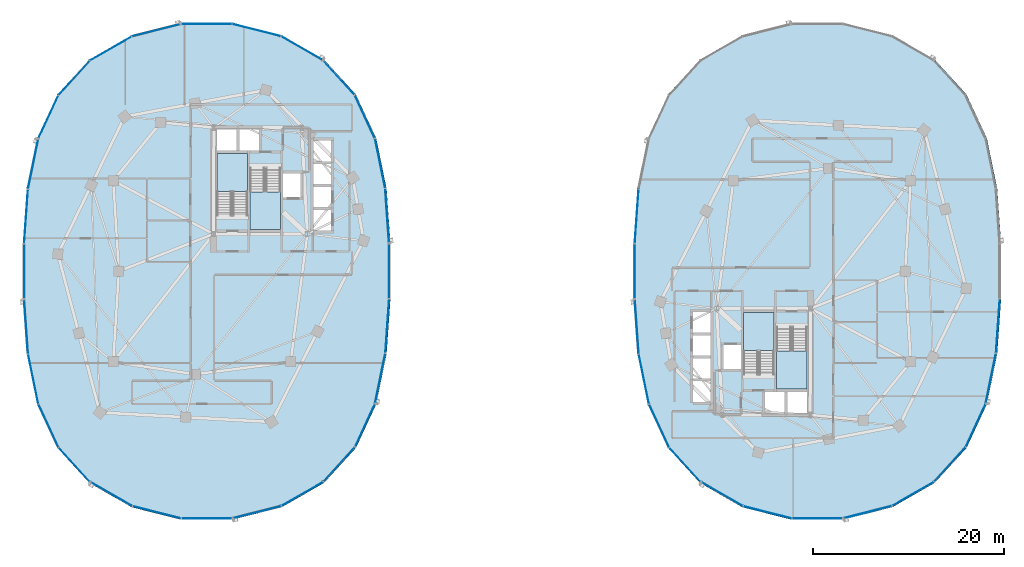
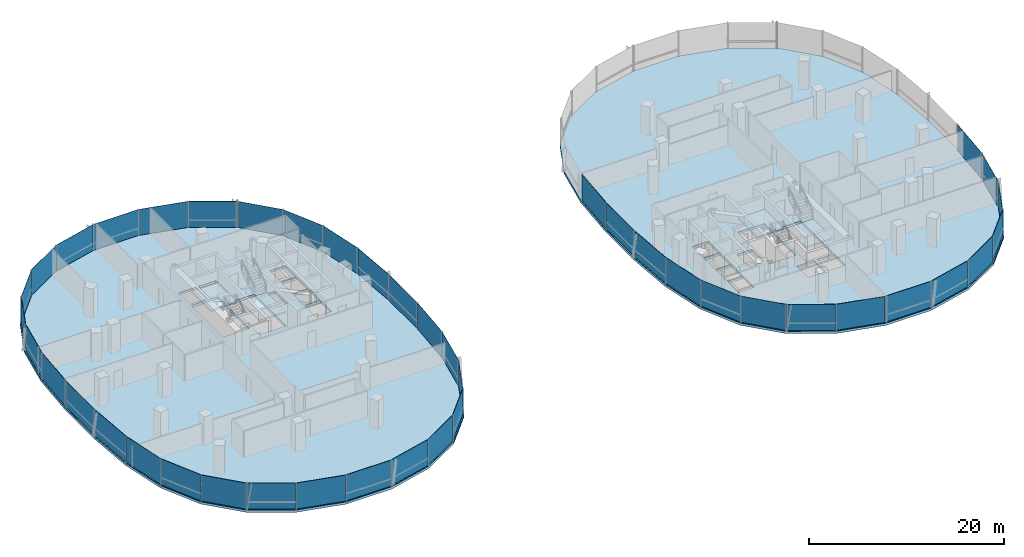
# One storey, part 9 of 21: 43 plates, 6 slabs, 11 elements without a shape of their own.
"""IFC4 building model written with IfcOpenShell, lengths in metres."""

from ifc_helpers import new_model, si_unit, direction, frame, origin, origin_2d, place, context, subcontext, project, spatial, polyline, rectangle, outline, extrude, material, layer, layer_set, type_object, element, aggregate, save


model = new_model("IFC4")

# Units and contexts
model_context = context("Model", 3, precision=1e-05, world=origin(), true_north=direction((0.0, 1.0)))
body_context = subcontext(model_context, "Body", "Model", "MODEL_VIEW")
ifc_project = project(units=[si_unit("LENGTHUNIT", "METRE"), si_unit("AREAUNIT", "SQUARE_METRE"), si_unit("VOLUMEUNIT", "CUBIC_METRE"), si_unit("PLANEANGLEUNIT", "RADIAN"), si_unit("MASSUNIT", "GRAM", prefix="KILO"), si_unit("THERMODYNAMICTEMPERATUREUNIT", "KELVIN"), si_unit("POWERUNIT", "WATT")], contexts=[model_context])

# Site, building, storey
site_placement = place(None, origin())
site = spatial("IfcSite", under=ifc_project, at=site_placement, CompositionType="ELEMENT")
building_placement = place(site_placement, origin())
building = spatial("IfcBuilding", under=site, at=building_placement, Name="Cundina Bronze Exchange", CompositionType="ELEMENT")
storey_placement = place(building_placement, frame((0.0, 0.0, 96.199951171875)))
storey = spatial("IfcBuildingStorey", under=building, at=storey_placement, Name="L24", CompositionType="ELEMENT", Elevation=96.199951171875)

# Curtain wall, plates
ifc_material_1 = material(Name="Anodised Bronze Aluminium 6063-T6", Category="aluminium")
curtain_wall_type = type_object("IfcCurtainWallType", Name="CWS-TRD-MID", PredefinedType="NOTDEFINED", material=ifc_material_1)
curtain_wall_1_placement = place(storey_placement, origin())
curtain_wall_1 = element("IfcCurtainWall", 1, at=curtain_wall_1_placement, inside=storey, type_object=curtain_wall_type, Name="L24 CW-03 Curtain Wall Run CWR-L24-W1", PredefinedType="NOTDEFINED")
ifc_material_2 = material(Name="Heat-Strengthened Solar-Control Bronze Safety Glass 28mm", Category="glass")
ifc_layer_1 = layer(ifc_material_2, 0.028076171875, Name="Heat-Strengthened Solar-Control Bronze Safety Glass 28mm", Category="glass")
ifc_layer_set_1 = layer_set([ifc_layer_1], Name="Heat-Strengthened Solar-Control Bronze Safety Glass 28mm")
plate_type_1 = type_object("IfcPlateType", Name="PLT-GLZ-VIS28", PredefinedType="CURTAIN_PANEL", material=ifc_layer_set_1)
plate_1_placement = place(storey_placement, frame((-13.81591796875, 11.269775390625, 0.02001953125), z_axis=(0.0, 0.0, 1.0), x_axis=(-0.201419845156, 0.979505000486, 0.0)))
plate_1 = element("IfcPlate", 2, at=plate_1_placement, type_object=plate_type_1, Name="CW-03 Glazed Panel 2", PredefinedType="CURTAIN_PANEL", context=body_context, shape_type="SweptSolid", body=[
    extrude(rectangle(XDim=5.306640625, YDim=0.028076171875, at=origin_2d()), origin(), (0.0, 0.0, 1.0), 3.260009765625),
])
plate_2_placement = place(storey_placement, frame((-15.413818359375, 16.177734375, 0.02001953125), z_axis=(0.0, 0.0, 1.0), x_axis=(-0.42084583328, 0.907132175932, 0.0)))
plate_2 = element("IfcPlate", 3, at=plate_2_placement, type_object=plate_type_1, Name="CW-03 Glazed Panel 3", PredefinedType="CURTAIN_PANEL", context=body_context, shape_type="SweptSolid", body=[
    extrude(rectangle(XDim=4.966552734375, YDim=0.028076171875, at=origin_2d()), origin(), (0.0, 0.0, 1.0), 3.260009765625),
])
plate_3_placement = place(storey_placement, frame((-18.1259765625, 20.267333984375, 0.02001953125), z_axis=(0.0, 0.0, 1.0), x_axis=(-0.674276610219, 0.73847887777, 0.0)))
plate_3 = element("IfcPlate", 4, at=plate_3_placement, type_object=plate_type_1, Name="CW-03 Glazed Panel 4", PredefinedType="CURTAIN_PANEL", context=body_context, shape_type="SweptSolid", body=[
    extrude(rectangle(XDim=4.86328125, YDim=0.028076171875, at=origin_2d()), origin(), (0.0, 0.0, 1.0), 3.260009765625),
])
plate_4_placement = place(storey_placement, frame((-21.980712890625, 23.34423828125, 0.02001953125), z_axis=(0.0, 0.0, 1.0), x_axis=(-0.867105478933, 0.498124571171, 0.0)))
plate_4 = element("IfcPlate", 5, at=plate_4_placement, type_object=plate_type_1, Name="CW-03 Glazed Panel 5", PredefinedType="CURTAIN_PANEL", context=body_context, shape_type="SweptSolid", body=[
    extrude(rectangle(XDim=5.021240234375, YDim=0.028076171875, at=origin_2d()), origin(), (0.0, 0.0, 1.0), 3.260009765625),
])
plate_5_placement = place(storey_placement, frame((-32.0, 25.905029296875, 0.02001953125), z_axis=(0.0, 0.0, 1.0), x_axis=(-1.0, 0.0, 0.0)))
plate_5 = element("IfcPlate", 6, at=plate_5_placement, type_object=plate_type_1, Name="CW-03 Glazed Panel 7", PredefinedType="CURTAIN_PANEL", context=body_context, shape_type="SweptSolid", body=[
    extrude(rectangle(XDim=5.323974609375, YDim=0.028076171875, at=origin_2d()), origin(), (0.0, 0.0, 1.0), 3.260009765625),
])

curtain_wall_2_placement = place(storey_placement, origin())
curtain_wall_2 = element("IfcCurtainWall", 7, at=curtain_wall_2_placement, inside=storey, type_object=curtain_wall_type, Name="L24 CW-03 Curtain Wall Run CWR-L24-W2", PredefinedType="NOTDEFINED")
plate_6_placement = place(storey_placement, frame((-37.255615234375, 25.256591796875, 0.02001953125), z_axis=(0.0, 0.0, 1.0), x_axis=(-0.969488149345, -0.245138182011, 0.0)))
plate_6 = element("IfcPlate", 8, at=plate_6_placement, type_object=plate_type_1, Name="CW-03 Glazed Panel 1", PredefinedType="CURTAIN_PANEL", context=body_context, shape_type="SweptSolid", body=[
    extrude(rectangle(XDim=5.2333984375, YDim=0.028076171875, at=origin_2d()), origin(), (0.0, 0.0, 1.0), 3.260009765625),
])
plate_7_placement = place(storey_placement, frame((-42.019287109375, 23.34423828125, 0.02001953125), z_axis=(0.0, 0.0, 1.0), x_axis=(-0.867105478933, -0.498124571171, 0.0)))
plate_7 = element("IfcPlate", 9, at=plate_7_placement, type_object=plate_type_1, Name="CW-03 Glazed Panel 2", PredefinedType="CURTAIN_PANEL", context=body_context, shape_type="SweptSolid", body=[
    extrude(rectangle(XDim=5.021240234375, YDim=0.028076171875, at=origin_2d()), origin(), (0.0, 0.0, 1.0), 3.260009765625),
])
plate_8_placement = place(storey_placement, frame((-45.8740234375, 20.267333984375, 0.02001953125), z_axis=(0.0, 0.0, 1.0), x_axis=(-0.674276610219, -0.73847887777, 0.0)))
plate_8 = element("IfcPlate", 10, at=plate_8_placement, type_object=plate_type_1, Name="CW-03 Glazed Panel 3", PredefinedType="CURTAIN_PANEL", context=body_context, shape_type="SweptSolid", body=[
    extrude(rectangle(XDim=4.86328125, YDim=0.028076171875, at=origin_2d()), origin(), (0.0, 0.0, 1.0), 3.260009765625),
])
plate_9_placement = place(storey_placement, frame((-48.586181640625, 16.177734375, 0.02001953125), z_axis=(0.0, 0.0, 1.0), x_axis=(-0.42084583328, -0.907132175932, 0.0)))
plate_9 = element("IfcPlate", 11, at=plate_9_placement, type_object=plate_type_1, Name="CW-03 Glazed Panel 4", PredefinedType="CURTAIN_PANEL", context=body_context, shape_type="SweptSolid", body=[
    extrude(rectangle(XDim=4.966552734375, YDim=0.028076171875, at=origin_2d()), origin(), (0.0, 0.0, 1.0), 3.260009765625),
])
plate_10_placement = place(storey_placement, frame((-50.9267578125, 5.783935546875, 0.02001953125), z_axis=(0.0, 0.0, 1.0), x_axis=(-0.070278787473, -0.997527389113, 0.0)))
plate_10 = element("IfcPlate", 12, at=plate_10_placement, type_object=plate_type_1, Name="CW-03 Glazed Panel 6", PredefinedType="CURTAIN_PANEL", context=body_context, shape_type="SweptSolid", body=[
    extrude(rectangle(XDim=5.644287109375, YDim=0.028076171875, at=origin_2d()), origin(), (0.0, 0.0, 1.0), 3.260009765625),
])
plate_11_placement = place(storey_placement, frame((-51.1279296875, 0.0, 0.02001953125), z_axis=(0.0, 0.0, 1.0), x_axis=(0.0, -1.0, 0.0)))
plate_11 = element("IfcPlate", 13, at=plate_11_placement, type_object=plate_type_1, Name="CW-03 Glazed Panel 7", PredefinedType="CURTAIN_PANEL", context=body_context, shape_type="SweptSolid", body=[
    extrude(rectangle(XDim=5.77587890625, YDim=0.028076171875, at=origin_2d()), origin(), (0.0, 0.0, 1.0), 3.260009765625),
])

curtain_wall_3_placement = place(storey_placement, origin())
curtain_wall_3 = element("IfcCurtainWall", 14, at=curtain_wall_3_placement, inside=storey, type_object=curtain_wall_type, Name="L24 CW-03 Curtain Wall Run CWR-L24-W3", PredefinedType="NOTDEFINED")
plate_12_placement = place(storey_placement, frame((-50.9267578125, -5.783935546875, 0.02001953125), z_axis=(0.0, 0.0, 1.0), x_axis=(0.070278787473, -0.997527389113, 0.0)))
plate_12 = element("IfcPlate", 15, at=plate_12_placement, type_object=plate_type_1, Name="CW-03 Glazed Panel 1", PredefinedType="CURTAIN_PANEL", context=body_context, shape_type="SweptSolid", body=[
    extrude(rectangle(XDim=5.644287109375, YDim=0.028076171875, at=origin_2d()), origin(), (0.0, 0.0, 1.0), 3.260009765625),
])
plate_13_placement = place(storey_placement, frame((-50.18408203125, -11.269775390625, 0.02001953125), z_axis=(0.0, 0.0, 1.0), x_axis=(0.201419845156, -0.979505000486, 0.0)))
plate_13 = element("IfcPlate", 16, at=plate_13_placement, type_object=plate_type_1, Name="CW-03 Glazed Panel 2", PredefinedType="CURTAIN_PANEL", context=body_context, shape_type="SweptSolid", body=[
    extrude(rectangle(XDim=5.306640625, YDim=0.028076171875, at=origin_2d()), origin(), (0.0, 0.0, 1.0), 3.260009765625),
])
plate_14_placement = place(storey_placement, frame((-48.586181640625, -16.177734375, 0.02001953125), z_axis=(0.0, 0.0, 1.0), x_axis=(0.42084583328, -0.907132175932, 0.0)))
plate_14 = element("IfcPlate", 17, at=plate_14_placement, type_object=plate_type_1, Name="CW-03 Glazed Panel 3", PredefinedType="CURTAIN_PANEL", context=body_context, shape_type="SweptSolid", body=[
    extrude(rectangle(XDim=4.966552734375, YDim=0.028076171875, at=origin_2d()), origin(), (0.0, 0.0, 1.0), 3.260009765625),
])
plate_15_placement = place(storey_placement, frame((-42.019287109375, -23.34423828125, 0.02001953125), z_axis=(0.0, 0.0, 1.0), x_axis=(0.867105478933, -0.498124571171, 0.0)))
plate_15 = element("IfcPlate", 18, at=plate_15_placement, type_object=plate_type_1, Name="CW-03 Glazed Panel 5", PredefinedType="CURTAIN_PANEL", context=body_context, shape_type="SweptSolid", body=[
    extrude(rectangle(XDim=5.021240234375, YDim=0.028076171875, at=origin_2d()), origin(), (0.0, 0.0, 1.0), 3.260009765625),
])
plate_16_placement = place(storey_placement, frame((-37.255615234375, -25.256591796875, 0.02001953125), z_axis=(0.0, 0.0, 1.0), x_axis=(0.969488149345, -0.245138182011, 0.0)))
plate_16 = element("IfcPlate", 19, at=plate_16_placement, type_object=plate_type_1, Name="CW-03 Glazed Panel 6", PredefinedType="CURTAIN_PANEL", context=body_context, shape_type="SweptSolid", body=[
    extrude(rectangle(XDim=5.2333984375, YDim=0.028076171875, at=origin_2d()), origin(), (0.0, 0.0, 1.0), 3.260009765625),
])
plate_17_placement = place(storey_placement, frame((-32.0, -25.905029296875, 0.02001953125), z_axis=(0.0, 0.0, 1.0), x_axis=(1.0, 0.0, 0.0)))
plate_17 = element("IfcPlate", 20, at=plate_17_placement, type_object=plate_type_1, Name="CW-03 Glazed Panel 7", PredefinedType="CURTAIN_PANEL", context=body_context, shape_type="SweptSolid", body=[
    extrude(rectangle(XDim=5.323974609375, YDim=0.028076171875, at=origin_2d()), origin(), (0.0, 0.0, 1.0), 3.260009765625),
])

curtain_wall_4_placement = place(storey_placement, origin())
curtain_wall_4 = element("IfcCurtainWall", 21, at=curtain_wall_4_placement, inside=storey, type_object=curtain_wall_type, Name="L24 CW-03 Curtain Wall Run CWR-L24-W4", PredefinedType="NOTDEFINED")
plate_18_placement = place(storey_placement, frame((-26.744384765625, -25.256591796875, 0.02001953125), z_axis=(0.0, 0.0, 1.0), x_axis=(0.969488149345, 0.245138182011, 0.0)))
plate_18 = element("IfcPlate", 22, at=plate_18_placement, type_object=plate_type_1, Name="CW-03 Glazed Panel 1", PredefinedType="CURTAIN_PANEL", context=body_context, shape_type="SweptSolid", body=[
    extrude(rectangle(XDim=5.2333984375, YDim=0.028076171875, at=origin_2d()), origin(), (0.0, 0.0, 1.0), 3.260009765625),
])
plate_19_placement = place(storey_placement, frame((-21.980712890625, -23.34423828125, 0.02001953125), z_axis=(0.0, 0.0, 1.0), x_axis=(0.867105478933, 0.498124571171, 0.0)))
plate_19 = element("IfcPlate", 23, at=plate_19_placement, type_object=plate_type_1, Name="CW-03 Glazed Panel 2", PredefinedType="CURTAIN_PANEL", context=body_context, shape_type="SweptSolid", body=[
    extrude(rectangle(XDim=5.021240234375, YDim=0.028076171875, at=origin_2d()), origin(), (0.0, 0.0, 1.0), 3.260009765625),
])
plate_20_placement = place(storey_placement, frame((-15.413818359375, -16.177734375, 0.02001953125), z_axis=(0.0, 0.0, 1.0), x_axis=(0.42084583328, 0.907132175932, 0.0)))
plate_20 = element("IfcPlate", 24, at=plate_20_placement, type_object=plate_type_1, Name="CW-03 Glazed Panel 4", PredefinedType="CURTAIN_PANEL", context=body_context, shape_type="SweptSolid", body=[
    extrude(rectangle(XDim=4.966552734375, YDim=0.028076171875, at=origin_2d()), origin(), (0.0, 0.0, 1.0), 3.260009765625),
])
plate_21_placement = place(storey_placement, frame((-13.81591796875, -11.269775390625, 0.02001953125), z_axis=(0.0, 0.0, 1.0), x_axis=(0.201419845156, 0.979505000486, 0.0)))
plate_21 = element("IfcPlate", 25, at=plate_21_placement, type_object=plate_type_1, Name="CW-03 Glazed Panel 5", PredefinedType="CURTAIN_PANEL", context=body_context, shape_type="SweptSolid", body=[
    extrude(rectangle(XDim=5.306640625, YDim=0.028076171875, at=origin_2d()), origin(), (0.0, 0.0, 1.0), 3.260009765625),
])
plate_22_placement = place(storey_placement, frame((-13.0732421875, -5.783935546875, 0.02001953125), z_axis=(0.0, 0.0, 1.0), x_axis=(0.070278787473, 0.997527389113, 0.0)))
plate_22 = element("IfcPlate", 26, at=plate_22_placement, type_object=plate_type_1, Name="CW-03 Glazed Panel 6", PredefinedType="CURTAIN_PANEL", context=body_context, shape_type="SweptSolid", body=[
    extrude(rectangle(XDim=5.644287109375, YDim=0.028076171875, at=origin_2d()), origin(), (0.0, 0.0, 1.0), 3.260009765625),
])
plate_23_placement = place(storey_placement, frame((-12.8720703125, 0.0, 0.02001953125), z_axis=(0.0, 0.0, 1.0), x_axis=(0.0, 1.0, 0.0)))
plate_23 = element("IfcPlate", 27, at=plate_23_placement, type_object=plate_type_1, Name="CW-03 Glazed Panel 7", PredefinedType="CURTAIN_PANEL", context=body_context, shape_type="SweptSolid", body=[
    extrude(rectangle(XDim=5.77587890625, YDim=0.028076171875, at=origin_2d()), origin(), (0.0, 0.0, 1.0), 3.260009765625),
])

curtain_wall_5_placement = place(storey_placement, origin())
curtain_wall_5 = element("IfcCurtainWall", 28, at=curtain_wall_5_placement, inside=storey, type_object=curtain_wall_type, Name="L24 CW-03 Curtain Wall Run CWR-L24-E2", PredefinedType="NOTDEFINED")
plate_24_placement = place(storey_placement, frame((13.0732421875, 5.783935546875, 0.02001953125), z_axis=(0.0, 0.0, 1.0), x_axis=(-0.070278787473, -0.997527389113, 0.0)))
plate_24 = element("IfcPlate", 29, at=plate_24_placement, type_object=plate_type_1, Name="CW-03 Glazed Panel 6", PredefinedType="CURTAIN_PANEL", context=body_context, shape_type="SweptSolid", body=[
    extrude(rectangle(XDim=5.644287109375, YDim=0.028076171875, at=origin_2d()), origin(), (0.0, 0.0, 1.0), 3.260009765625),
])
plate_25_placement = place(storey_placement, frame((12.8720703125, 0.0, 0.02001953125), z_axis=(0.0, 0.0, 1.0), x_axis=(0.0, -1.0, 0.0)))
plate_25 = element("IfcPlate", 30, at=plate_25_placement, type_object=plate_type_1, Name="CW-03 Glazed Panel 7", PredefinedType="CURTAIN_PANEL", context=body_context, shape_type="SweptSolid", body=[
    extrude(rectangle(XDim=5.77587890625, YDim=0.028076171875, at=origin_2d()), origin(), (0.0, 0.0, 1.0), 3.260009765625),
])
aggregate(curtain_wall_5, [plate_24, plate_25])

curtain_wall_6_placement = place(storey_placement, origin())
curtain_wall_6 = element("IfcCurtainWall", 31, at=curtain_wall_6_placement, inside=storey, type_object=curtain_wall_type, Name="L24 CW-03 Curtain Wall Run CWR-L24-E3", PredefinedType="NOTDEFINED")
plate_26_placement = place(storey_placement, frame((13.0732421875, -5.783935546875, 0.02001953125), z_axis=(0.0, 0.0, 1.0), x_axis=(0.070278787473, -0.997527389113, 0.0)))
plate_26 = element("IfcPlate", 32, at=plate_26_placement, type_object=plate_type_1, Name="CW-03 Glazed Panel 1", PredefinedType="CURTAIN_PANEL", context=body_context, shape_type="SweptSolid", body=[
    extrude(rectangle(XDim=5.644287109375, YDim=0.028076171875, at=origin_2d()), origin(), (0.0, 0.0, 1.0), 3.260009765625),
])
plate_27_placement = place(storey_placement, frame((13.81591796875, -11.269775390625, 0.02001953125), z_axis=(0.0, 0.0, 1.0), x_axis=(0.201419845156, -0.979505000486, 0.0)))
plate_27 = element("IfcPlate", 33, at=plate_27_placement, type_object=plate_type_1, Name="CW-03 Glazed Panel 2", PredefinedType="CURTAIN_PANEL", context=body_context, shape_type="SweptSolid", body=[
    extrude(rectangle(XDim=5.306640625, YDim=0.028076171875, at=origin_2d()), origin(), (0.0, 0.0, 1.0), 3.260009765625),
])
plate_28_placement = place(storey_placement, frame((15.413818359375, -16.177734375, 0.02001953125), z_axis=(0.0, 0.0, 1.0), x_axis=(0.42084583328, -0.907132175932, 0.0)))
plate_28 = element("IfcPlate", 34, at=plate_28_placement, type_object=plate_type_1, Name="CW-03 Glazed Panel 3", PredefinedType="CURTAIN_PANEL", context=body_context, shape_type="SweptSolid", body=[
    extrude(rectangle(XDim=4.966552734375, YDim=0.028076171875, at=origin_2d()), origin(), (0.0, 0.0, 1.0), 3.260009765625),
])
plate_29_placement = place(storey_placement, frame((21.980712890625, -23.34423828125, 0.02001953125), z_axis=(0.0, 0.0, 1.0), x_axis=(0.867105478933, -0.498124571171, 0.0)))
plate_29 = element("IfcPlate", 35, at=plate_29_placement, type_object=plate_type_1, Name="CW-03 Glazed Panel 5", PredefinedType="CURTAIN_PANEL", context=body_context, shape_type="SweptSolid", body=[
    extrude(rectangle(XDim=5.021240234375, YDim=0.028076171875, at=origin_2d()), origin(), (0.0, 0.0, 1.0), 3.260009765625),
])
plate_30_placement = place(storey_placement, frame((26.744384765625, -25.256591796875, 0.02001953125), z_axis=(0.0, 0.0, 1.0), x_axis=(0.969488149345, -0.245138182011, 0.0)))
plate_30 = element("IfcPlate", 36, at=plate_30_placement, type_object=plate_type_1, Name="CW-03 Glazed Panel 6", PredefinedType="CURTAIN_PANEL", context=body_context, shape_type="SweptSolid", body=[
    extrude(rectangle(XDim=5.2333984375, YDim=0.028076171875, at=origin_2d()), origin(), (0.0, 0.0, 1.0), 3.260009765625),
])
plate_31_placement = place(storey_placement, frame((32.0, -25.905029296875, 0.02001953125), z_axis=(0.0, 0.0, 1.0), x_axis=(1.0, 0.0, 0.0)))
plate_31 = element("IfcPlate", 37, at=plate_31_placement, type_object=plate_type_1, Name="CW-03 Glazed Panel 7", PredefinedType="CURTAIN_PANEL", context=body_context, shape_type="SweptSolid", body=[
    extrude(rectangle(XDim=5.323974609375, YDim=0.028076171875, at=origin_2d()), origin(), (0.0, 0.0, 1.0), 3.260009765625),
])

curtain_wall_7_placement = place(storey_placement, origin())
curtain_wall_7 = element("IfcCurtainWall", 38, at=curtain_wall_7_placement, inside=storey, type_object=curtain_wall_type, Name="L24 CW-03 Curtain Wall Run CWR-L24-E4", PredefinedType="NOTDEFINED")
plate_32_placement = place(storey_placement, frame((37.255615234375, -25.256591796875, 0.02001953125), z_axis=(0.0, 0.0, 1.0), x_axis=(0.969488149345, 0.245138182011, 0.0)))
plate_32 = element("IfcPlate", 39, at=plate_32_placement, type_object=plate_type_1, Name="CW-03 Glazed Panel 1", PredefinedType="CURTAIN_PANEL", context=body_context, shape_type="SweptSolid", body=[
    extrude(rectangle(XDim=5.2333984375, YDim=0.028076171875, at=origin_2d()), origin(), (0.0, 0.0, 1.0), 3.260009765625),
])
plate_33_placement = place(storey_placement, frame((42.019287109375, -23.34423828125, 0.02001953125), z_axis=(0.0, 0.0, 1.0), x_axis=(0.867105478933, 0.498124571171, 0.0)))
plate_33 = element("IfcPlate", 40, at=plate_33_placement, type_object=plate_type_1, Name="CW-03 Glazed Panel 2", PredefinedType="CURTAIN_PANEL", context=body_context, shape_type="SweptSolid", body=[
    extrude(rectangle(XDim=5.021240234375, YDim=0.028076171875, at=origin_2d()), origin(), (0.0, 0.0, 1.0), 3.260009765625),
])
plate_34_placement = place(storey_placement, frame((48.586181640625, -16.177734375, 0.02001953125), z_axis=(0.0, 0.0, 1.0), x_axis=(0.42084583328, 0.907132175932, 0.0)))
plate_34 = element("IfcPlate", 41, at=plate_34_placement, type_object=plate_type_1, Name="CW-03 Glazed Panel 4", PredefinedType="CURTAIN_PANEL", context=body_context, shape_type="SweptSolid", body=[
    extrude(rectangle(XDim=4.966552734375, YDim=0.028076171875, at=origin_2d()), origin(), (0.0, 0.0, 1.0), 3.260009765625),
])
plate_35_placement = place(storey_placement, frame((50.18408203125, -11.269775390625, 0.02001953125), z_axis=(0.0, 0.0, 1.0), x_axis=(0.201419845156, 0.979505000486, 0.0)))
plate_35 = element("IfcPlate", 42, at=plate_35_placement, type_object=plate_type_1, Name="CW-03 Glazed Panel 5", PredefinedType="CURTAIN_PANEL", context=body_context, shape_type="SweptSolid", body=[
    extrude(rectangle(XDim=5.306640625, YDim=0.028076171875, at=origin_2d()), origin(), (0.0, 0.0, 1.0), 3.260009765625),
])
plate_36_placement = place(storey_placement, frame((50.9267578125, -5.783935546875, 0.02001953125), z_axis=(0.0, 0.0, 1.0), x_axis=(0.070278787473, 0.997527389113, 0.0)))
plate_36 = element("IfcPlate", 43, at=plate_36_placement, type_object=plate_type_1, Name="CW-03 Glazed Panel 6", PredefinedType="CURTAIN_PANEL", context=body_context, shape_type="SweptSolid", body=[
    extrude(rectangle(XDim=5.644287109375, YDim=0.028076171875, at=origin_2d()), origin(), (0.0, 0.0, 1.0), 3.260009765625),
])

# Plate
ifc_material_3 = material(Name="Dark Bronze Spandrel Glass Panel 32mm", Category="glass")
ifc_layer_2 = layer(ifc_material_3, 0.031982421875, Name="Dark Bronze Spandrel Glass Panel 32mm", Category="glass")
ifc_layer_set_2 = layer_set([ifc_layer_2], Name="Dark Bronze Spandrel Glass Panel 32mm")
plate_type_2 = type_object("IfcPlateType", Name="PLT-SPN-BRZ32", PredefinedType="CURTAIN_PANEL", material=ifc_layer_set_2)
plate_37_placement = place(storey_placement, frame((-13.0732421875, 5.783935546875, 0.02001953125), z_axis=(0.0, 0.0, 1.0), x_axis=(-0.070278787473, 0.997527389113, 0.0)))
plate_37 = element("IfcPlate", 44, at=plate_37_placement, type_object=plate_type_2, Name="CW-03 Glazed Panel 1", PredefinedType="CURTAIN_PANEL", context=body_context, shape_type="SweptSolid", body=[
    extrude(rectangle(XDim=5.644287109375, YDim=0.031982421875, at=origin_2d()), origin(), (0.0, 0.0, 1.0), 3.260009765625),
])

plate_38_placement = place(storey_placement, frame((-26.744384765625, 25.256591796875, 0.02001953125), z_axis=(0.0, 0.0, 1.0), x_axis=(-0.969488149345, 0.245138182011, 0.0)))
plate_38 = element("IfcPlate", 45, at=plate_38_placement, type_object=plate_type_2, Name="CW-03 Glazed Panel 6", PredefinedType="CURTAIN_PANEL", context=body_context, shape_type="SweptSolid", body=[
    extrude(rectangle(XDim=5.2333984375, YDim=0.031982421875, at=origin_2d()), origin(), (0.0, 0.0, 1.0), 3.260009765625),
])

aggregate(curtain_wall_1, [plate_37, plate_1, plate_2, plate_3, plate_4, plate_38, plate_5])

plate_39_placement = place(storey_placement, frame((-50.18408203125, 11.269775390625, 0.02001953125), z_axis=(0.0, 0.0, 1.0), x_axis=(-0.201419845156, -0.979505000486, 0.0)))
plate_39 = element("IfcPlate", 46, at=plate_39_placement, type_object=plate_type_2, Name="CW-03 Glazed Panel 5", PredefinedType="CURTAIN_PANEL", context=body_context, shape_type="SweptSolid", body=[
    extrude(rectangle(XDim=5.306640625, YDim=0.031982421875, at=origin_2d()), origin(), (0.0, 0.0, 1.0), 3.260009765625),
])

aggregate(curtain_wall_2, [plate_6, plate_7, plate_8, plate_9, plate_39, plate_10, plate_11])

plate_40_placement = place(storey_placement, frame((-45.8740234375, -20.267333984375, 0.02001953125), z_axis=(0.0, 0.0, 1.0), x_axis=(0.674276610219, -0.73847887777, 0.0)))
plate_40 = element("IfcPlate", 47, at=plate_40_placement, type_object=plate_type_2, Name="CW-03 Glazed Panel 4", PredefinedType="CURTAIN_PANEL", context=body_context, shape_type="SweptSolid", body=[
    extrude(rectangle(XDim=4.86328125, YDim=0.031982421875, at=origin_2d()), origin(), (0.0, 0.0, 1.0), 3.260009765625),
])

aggregate(curtain_wall_3, [plate_12, plate_13, plate_14, plate_40, plate_15, plate_16, plate_17])

plate_41_placement = place(storey_placement, frame((-18.1259765625, -20.267333984375, 0.02001953125), z_axis=(0.0, 0.0, 1.0), x_axis=(0.674276610219, 0.73847887777, 0.0)))
plate_41 = element("IfcPlate", 48, at=plate_41_placement, type_object=plate_type_2, Name="CW-03 Glazed Panel 3", PredefinedType="CURTAIN_PANEL", context=body_context, shape_type="SweptSolid", body=[
    extrude(rectangle(XDim=4.86328125, YDim=0.031982421875, at=origin_2d()), origin(), (0.0, 0.0, 1.0), 3.260009765625),
])

aggregate(curtain_wall_4, [plate_18, plate_19, plate_41, plate_20, plate_21, plate_22, plate_23])

plate_42_placement = place(storey_placement, frame((18.1259765625, -20.267333984375, 0.02001953125), z_axis=(0.0, 0.0, 1.0), x_axis=(0.674276610219, -0.73847887777, 0.0)))
plate_42 = element("IfcPlate", 49, at=plate_42_placement, type_object=plate_type_2, Name="CW-03 Glazed Panel 4", PredefinedType="CURTAIN_PANEL", context=body_context, shape_type="SweptSolid", body=[
    extrude(rectangle(XDim=4.86328125, YDim=0.031982421875, at=origin_2d()), origin(), (0.0, 0.0, 1.0), 3.260009765625),
])

aggregate(curtain_wall_6, [plate_26, plate_27, plate_28, plate_42, plate_29, plate_30, plate_31])

plate_43_placement = place(storey_placement, frame((45.8740234375, -20.267333984375, 0.02001953125), z_axis=(0.0, 0.0, 1.0), x_axis=(0.674276610219, 0.73847887777, 0.0)))
plate_43 = element("IfcPlate", 50, at=plate_43_placement, type_object=plate_type_2, Name="CW-03 Glazed Panel 3", PredefinedType="CURTAIN_PANEL", context=body_context, shape_type="SweptSolid", body=[
    extrude(rectangle(XDim=4.86328125, YDim=0.031982421875, at=origin_2d()), origin(), (0.0, 0.0, 1.0), 3.260009765625),
])

aggregate(curtain_wall_7, [plate_32, plate_33, plate_43, plate_34, plate_35, plate_36])

# Stair, slab
ifc_material_4 = material(Name="Concrete C40/50", Category="concrete")
stair_type = type_object("IfcStairType", Name="STR-OFF-360", PredefinedType="HALF_TURN_STAIR", material=ifc_material_4)
stair_1_placement = place(storey_placement, origin())
stair_1 = element("IfcStair", 51, at=stair_1_placement, inside=storey, type_object=stair_type, Name="L24 Smokeproof Exit Stair W1", PredefinedType="HALF_TURN_STAIR")
ifc_layer_3 = layer(ifc_material_4, 0.199951171875, Name="Concrete C40/50", Category="concrete")
ifc_layer_set_3 = layer_set([ifc_layer_3], Name="Concrete C40/50")
slab_type_1 = type_object("IfcSlabType", Name="SLB-LND-200", PredefinedType="LANDING", material=ifc_layer_set_3)
slab_1_placement = place(storey_placement, frame((0.0, 0.0, 1.60009765625)))
slab_1 = element("IfcSlab", 52, at=slab_1_placement, type_object=slab_type_1, Name="ST-W1 landing 1", PredefinedType="LANDING", context=body_context, shape_type="SweptSolid", body=[
    extrude(outline(polyline([(-27.739990234375, 8.3701171875), (-27.739990234375, 12.35009765625), (-30.89990234375, 12.35009765625), (-30.89990234375, 8.3701171875), (-27.739990234375, 8.3701171875)])), origin(), (0.0, 0.0, 1.0), 0.199951171875),
])
aggregate(stair_1, [slab_1])

stair_2_placement = place(storey_placement, origin())
stair_2 = element("IfcStair", 53, at=stair_2_placement, inside=storey, type_object=stair_type, Name="L24 Smokeproof Exit Stair W2", PredefinedType="HALF_TURN_STAIR")
slab_2_placement = place(storey_placement, frame((0.0, 0.0, 1.60009765625)))
slab_2 = element("IfcSlab", 54, at=slab_2_placement, type_object=slab_type_1, Name="ST-W2 landing 1", PredefinedType="LANDING", context=body_context, shape_type="SweptSolid", body=[
    extrude(outline(polyline([(-27.43994140625, 8.330078125), (-27.43994140625, 4.35009765625), (-24.280029296875, 4.35009765625), (-24.280029296875, 8.330078125), (-27.43994140625, 8.330078125)])), origin(), (0.0, 0.0, 1.0), 0.199951171875),
])
aggregate(stair_2, [slab_2])

stair_3_placement = place(storey_placement, origin())
stair_3 = element("IfcStair", 55, at=stair_3_placement, inside=storey, type_object=stair_type, Name="L24 Smokeproof Exit Stair E1", PredefinedType="HALF_TURN_STAIR")
slab_3_placement = place(storey_placement, frame((0.0, 0.0, 1.60009765625)))
slab_3 = element("IfcSlab", 56, at=slab_3_placement, type_object=slab_type_1, Name="ST-E1 landing 1", PredefinedType="LANDING", context=body_context, shape_type="SweptSolid", body=[
    extrude(outline(polyline([(27.739990234375, -8.3701171875), (27.739990234375, -12.35009765625), (30.89990234375, -12.35009765625), (30.89990234375, -8.3701171875), (27.739990234375, -8.3701171875)])), origin(), (0.0, 0.0, 1.0), 0.199951171875),
])
aggregate(stair_3, [slab_3])

stair_4_placement = place(storey_placement, origin())
stair_4 = element("IfcStair", 57, at=stair_4_placement, inside=storey, type_object=stair_type, Name="L24 Smokeproof Exit Stair E2", PredefinedType="HALF_TURN_STAIR")
slab_4_placement = place(storey_placement, frame((0.0, 0.0, 1.60009765625)))
slab_4 = element("IfcSlab", 58, at=slab_4_placement, type_object=slab_type_1, Name="ST-E2 landing 1", PredefinedType="LANDING", context=body_context, shape_type="SweptSolid", body=[
    extrude(outline(polyline([(27.43994140625, -8.330078125), (27.43994140625, -4.35009765625), (24.280029296875, -4.35009765625), (24.280029296875, -8.330078125), (27.43994140625, -8.330078125)])), origin(), (0.0, 0.0, 1.0), 0.199951171875),
])
aggregate(stair_4, [slab_4])

# Slabs
ifc_material_5 = material(Name="Concrete C50/60", Category="concrete")
ifc_layer_4 = layer(ifc_material_5, 0.300048828125, Name="Concrete C50/60", Category="concrete")
ifc_layer_set_4 = layer_set([ifc_layer_4], Name="Concrete C50/60")
slab_type_2 = type_object("IfcSlabType", Name="SLB-TRD-300", PredefinedType="FLOOR", material=ifc_layer_set_4)
slab_5_placement = place(storey_placement, frame((0.0, 0.0, -0.300048828125)))
element("IfcSlab", 59, at=slab_5_placement, inside=storey, type_object=slab_type_2, Name="L24 Leg W Structural Floor Slab", PredefinedType="FLOOR", context=body_context, shape_type="SweptSolid", body=[
    extrude(outline(polyline([(-12.741943359375, 2.93310546875), (-13.14501953125, 8.653076171875), (-14.23193359375, 13.93896484375), (-16.360107421875, 18.52587890625), (-19.699951171875, 22.18408203125), (-24.132080078125, 24.72998046875), (-29.29296875, 26.034912109375), (-34.70703125, 26.034912109375), (-39.867919921875, 24.72998046875), (-44.300048828125, 22.18408203125), (-47.639892578125, 18.52587890625), (-49.76806640625, 13.93896484375), (-50.85498046875, 8.653076171875), (-51.258056640625, 2.93310546875), (-51.258056640625, -2.93310546875), (-50.85498046875, -8.653076171875), (-49.76806640625, -13.93896484375), (-47.639892578125, -18.52587890625), (-44.300048828125, -22.18408203125), (-39.867919921875, -24.72998046875), (-34.70703125, -26.034912109375), (-29.29296875, -26.034912109375), (-24.132080078125, -24.72998046875), (-19.699951171875, -22.18408203125), (-16.360107421875, -18.52587890625), (-14.23193359375, -13.93896484375), (-13.14501953125, -8.653076171875), (-12.741943359375, -2.93310546875), (-12.741943359375, 2.93310546875)]), holes=[polyline([(-27.739990234375, 5.85009765625), (-27.739990234375, 12.35009765625), (-30.89990234375, 12.35009765625), (-30.89990234375, 5.85009765625), (-27.739990234375, 5.85009765625)]), polyline([(-27.43994140625, 10.85009765625), (-27.43994140625, 4.35009765625), (-24.280029296875, 4.35009765625), (-24.280029296875, 10.85009765625), (-27.43994140625, 10.85009765625)]), polyline([(-23.97998046875, 10.25), (-22.179931640625, 10.25), (-22.179931640625, 7.75), (-23.97998046875, 7.75), (-23.97998046875, 10.25)]), polyline([(-30.89990234375, 14.949951171875), (-28.85009765625, 14.949951171875), (-28.85009765625, 12.64990234375), (-30.89990234375, 12.64990234375), (-30.89990234375, 14.949951171875)]), polyline([(-28.550048828125, 14.949951171875), (-26.5, 14.949951171875), (-26.5, 12.64990234375), (-28.550048828125, 12.64990234375), (-28.550048828125, 14.949951171875)]), polyline([(-20.800048828125, 13.699951171875), (-18.949951171875, 13.699951171875), (-18.949951171875, 11.449951171875), (-20.800048828125, 11.449951171875), (-20.800048828125, 13.699951171875)]), polyline([(-20.800048828125, 11.300048828125), (-18.949951171875, 11.300048828125), (-18.949951171875, 9.050048828125), (-20.800048828125, 9.050048828125), (-20.800048828125, 11.300048828125)]), polyline([(-20.800048828125, 8.89990234375), (-18.949951171875, 8.89990234375), (-18.949951171875, 6.64990234375), (-20.800048828125, 6.64990234375), (-20.800048828125, 8.89990234375)]), polyline([(-20.800048828125, 6.5), (-18.949951171875, 6.5), (-18.949951171875, 4.25), (-20.800048828125, 4.25), (-20.800048828125, 6.5)])]), origin(), (0.0, 0.0, 1.0), 0.300048828125),
])
slab_6_placement = place(storey_placement, frame((0.0, 0.0, -0.300048828125)))
element("IfcSlab", 60, at=slab_6_placement, inside=storey, type_object=slab_type_2, Name="L24 Leg E Structural Floor Slab", PredefinedType="FLOOR", context=body_context, shape_type="SweptSolid", body=[
    extrude(outline(polyline([(51.258056640625, 2.93310546875), (50.85498046875, 8.653076171875), (49.76806640625, 13.93896484375), (47.639892578125, 18.52587890625), (44.300048828125, 22.18408203125), (39.867919921875, 24.72998046875), (34.70703125, 26.034912109375), (29.29296875, 26.034912109375), (24.132080078125, 24.72998046875), (19.699951171875, 22.18408203125), (16.360107421875, 18.52587890625), (14.23193359375, 13.93896484375), (13.14501953125, 8.653076171875), (12.741943359375, 2.93310546875), (12.741943359375, -2.93310546875), (13.14501953125, -8.653076171875), (14.23193359375, -13.93896484375), (16.360107421875, -18.52587890625), (19.699951171875, -22.18408203125), (24.132080078125, -24.72998046875), (29.29296875, -26.034912109375), (34.70703125, -26.034912109375), (39.867919921875, -24.72998046875), (44.300048828125, -22.18408203125), (47.639892578125, -18.52587890625), (49.76806640625, -13.93896484375), (50.85498046875, -8.653076171875), (51.258056640625, -2.93310546875), (51.258056640625, 2.93310546875)]), holes=[polyline([(27.739990234375, -5.85009765625), (27.739990234375, -12.35009765625), (30.89990234375, -12.35009765625), (30.89990234375, -5.85009765625), (27.739990234375, -5.85009765625)]), polyline([(27.43994140625, -10.85009765625), (27.43994140625, -4.35009765625), (24.280029296875, -4.35009765625), (24.280029296875, -10.85009765625), (27.43994140625, -10.85009765625)]), polyline([(22.179931640625, -7.75), (23.97998046875, -7.75), (23.97998046875, -10.25), (22.179931640625, -10.25), (22.179931640625, -7.75)]), polyline([(28.85009765625, -12.64990234375), (30.89990234375, -12.64990234375), (30.89990234375, -14.949951171875), (28.85009765625, -14.949951171875), (28.85009765625, -12.64990234375)]), polyline([(26.5, -12.64990234375), (28.550048828125, -12.64990234375), (28.550048828125, -14.949951171875), (26.5, -14.949951171875), (26.5, -12.64990234375)]), polyline([(18.949951171875, -11.449951171875), (20.800048828125, -11.449951171875), (20.800048828125, -13.699951171875), (18.949951171875, -13.699951171875), (18.949951171875, -11.449951171875)]), polyline([(18.949951171875, -9.050048828125), (20.800048828125, -9.050048828125), (20.800048828125, -11.300048828125), (18.949951171875, -11.300048828125), (18.949951171875, -9.050048828125)]), polyline([(18.949951171875, -6.64990234375), (20.800048828125, -6.64990234375), (20.800048828125, -8.89990234375), (18.949951171875, -8.89990234375), (18.949951171875, -6.64990234375)]), polyline([(18.949951171875, -4.25), (20.800048828125, -4.25), (20.800048828125, -6.5), (18.949951171875, -6.5), (18.949951171875, -4.25)])]), origin(), (0.0, 0.0, 1.0), 0.300048828125),
])

save(model, "model.ifc")
